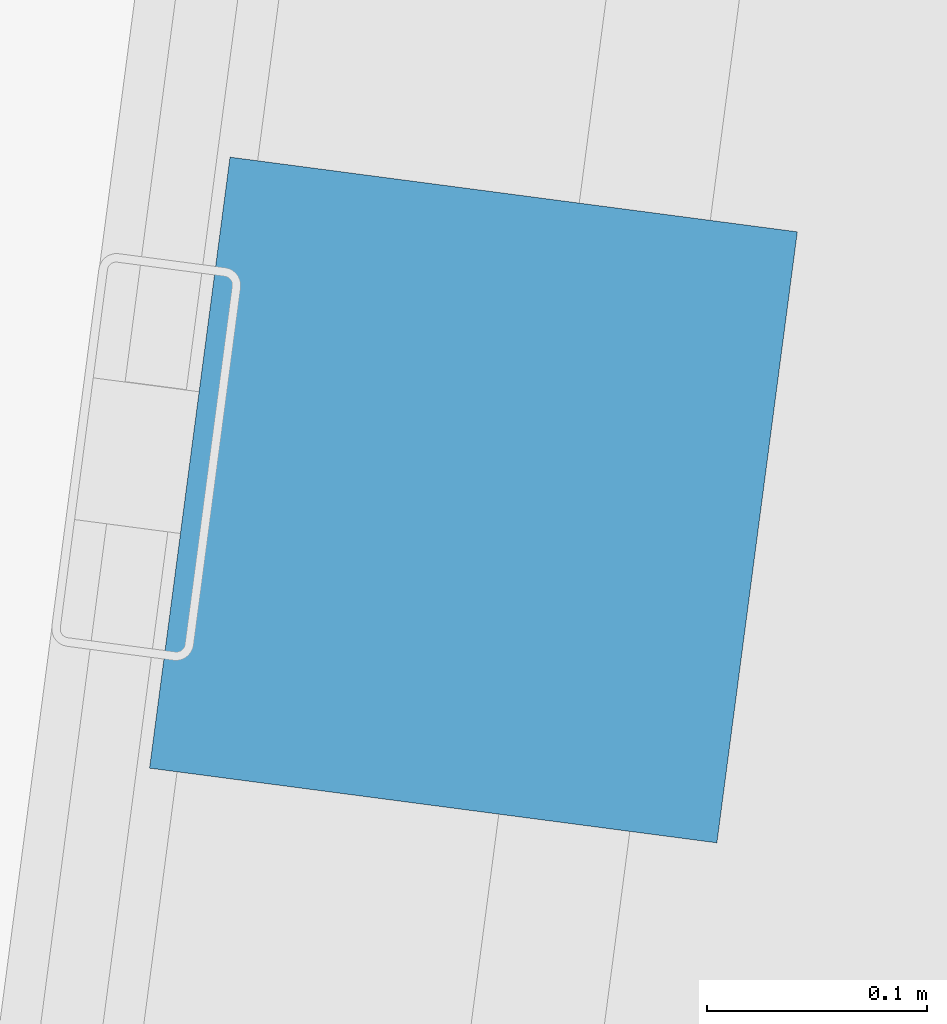
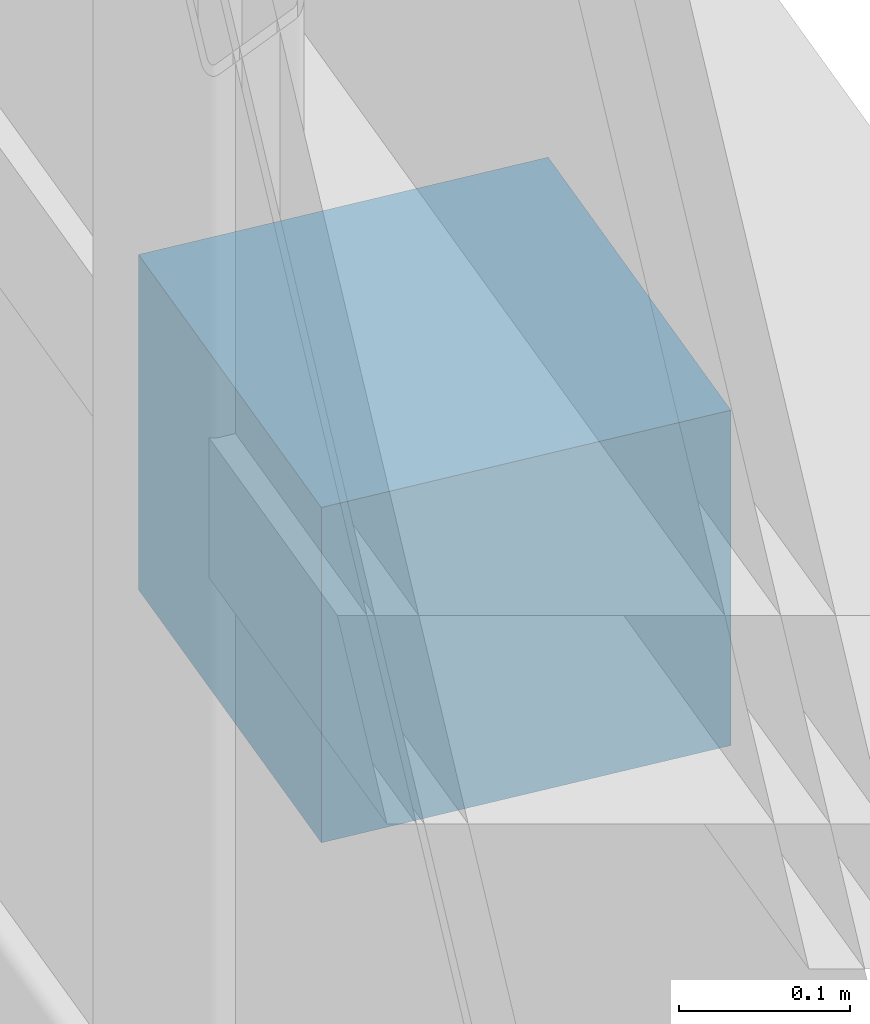
# One storey, part 20 of 24: 1 discrete accessory.
"""IFC4 building model written with IfcOpenShell, lengths in metres."""

from ifc_helpers import new_model, si_unit, direction, frame, origin, origin_2d, place, context, subcontext, project, spatial, rectangle, extrude, source, transform, mapped, material, type_object, element, save


model = new_model("IFC4")

# Units and contexts
model_context = context("Model", 3, precision=1e-05, world=origin(), true_north=direction((0.0, 1.0)))
body_context = subcontext(model_context, "Body", "Model", "MODEL_VIEW")
ifc_project = project(units=[si_unit("LENGTHUNIT", "METRE"), si_unit("AREAUNIT", "SQUARE_METRE"), si_unit("VOLUMEUNIT", "CUBIC_METRE"), si_unit("PLANEANGLEUNIT", "RADIAN"), si_unit("MASSUNIT", "GRAM", prefix="KILO")], contexts=[model_context])

# Site, building, storey
site_placement = place(None, origin())
site = spatial("IfcSite", under=ifc_project, at=site_placement, CompositionType="ELEMENT")
building_placement = place(site_placement, origin())
building = spatial("IfcBuilding", under=site, at=building_placement, Name="Torre Montelarca", CompositionType="ELEMENT")
storey_placement = place(building_placement, frame((0.0, 0.0, 70.60009765625)))
storey = spatial("IfcBuildingStorey", under=building, at=storey_placement, Name="L15", CompositionType="ELEMENT", Elevation=70.60009765625)

# Discrete accessory
ifc_material = material(Name="Stainless steel AISI 316", Category="steel")
discrete_accessory_type = type_object("IfcDiscreteAccessoryType", Name="ACC-BRACKET-SS", PredefinedType="BRACKET", material=ifc_material)
shared_shape = source(origin(), body_context, "Body", "SweptSolid", [
    extrude(rectangle(XDim=0.280029296875, YDim=0.260009765625, at=origin_2d()), origin(), (0.0, 0.0, 1.0), 0.239990234375),
])
discrete_accessory_placement = place(storey_placement, frame((63.713623046875, 27.65283203125, 0.39990234375), z_axis=(0.0, 0.0, 1.0), x_axis=(0.130524461822, 0.991445089183, 0.0)))
element("IfcDiscreteAccessory", 1, at=discrete_accessory_placement, inside=storey, type_object=discrete_accessory_type, Name="L15 Solar Screen Support Bracket E6-1", PredefinedType="BRACKET", context=body_context, shape_type="MappedRepresentation", body=[
    mapped(shared_shape, transform((0.0, 0.0, 0.0), scale=1.0)),
])

save(model, "model.ifc")
